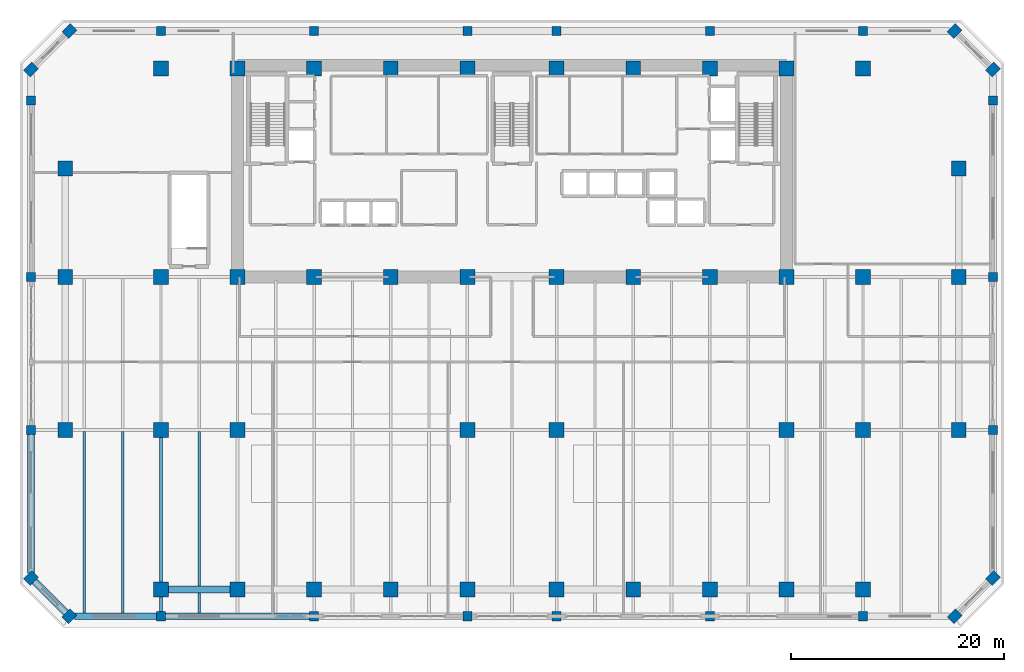
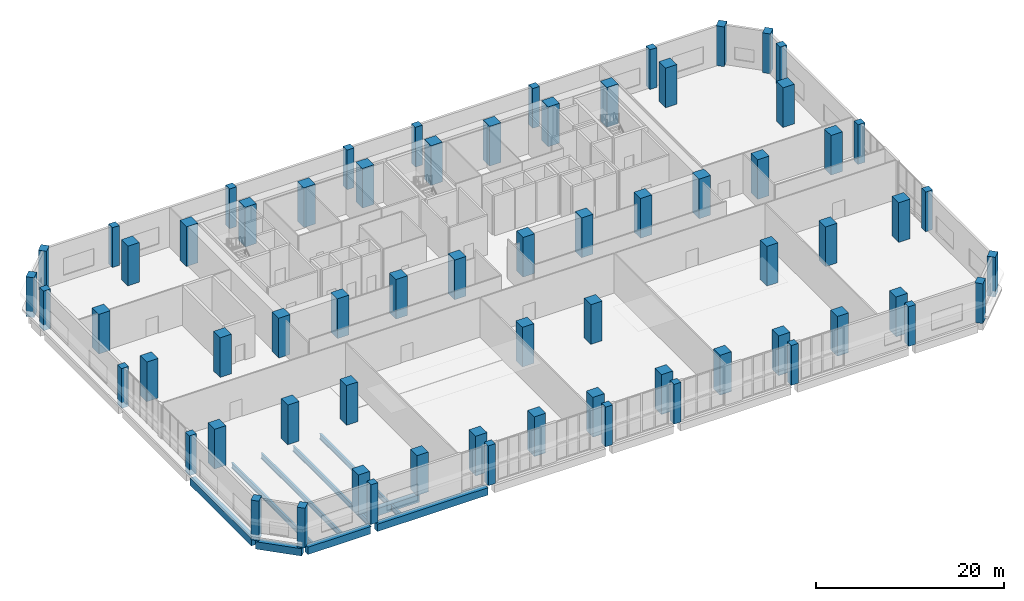
# One storey, part 1 of 25: 68 columns, 9 beams.
"""IFC4 building model written with IfcOpenShell, lengths in metres."""

from ifc_helpers import new_model, si_unit, direction, frame, origin, origin_2d, place, context, subcontext, project, spatial, rectangle, i_section, extrude, material, material_profile, profile_set, type_object, element, save


model = new_model("IFC4")

# Units and contexts
model_context = context("Model", 3, precision=1e-05, world=origin(), true_north=direction((0.0, 1.0)))
body_context = subcontext(model_context, "Body", "Model", "MODEL_VIEW")
ifc_project = project(units=[si_unit("LENGTHUNIT", "METRE"), si_unit("AREAUNIT", "SQUARE_METRE"), si_unit("VOLUMEUNIT", "CUBIC_METRE"), si_unit("PLANEANGLEUNIT", "RADIAN"), si_unit("MASSUNIT", "GRAM", prefix="KILO")], contexts=[model_context])

# Site, building, storey
site_placement = place(None, origin())
site = spatial("IfcSite", under=ifc_project, at=site_placement, CompositionType="ELEMENT")
building_placement = place(site_placement, origin())
building = spatial("IfcBuilding", under=site, at=building_placement, Name="Kaelvorn Grand Hotel", CompositionType="ELEMENT")
storey_placement = place(building_placement, frame((0.0, 0.0, 26.0)))
storey = spatial("IfcBuildingStorey", under=building, at=storey_placement, Name="L04", CompositionType="ELEMENT", Elevation=26.0)

# Columns
ifc_material_1 = material(Name="Concrete C80/95", Category="concrete")
ifc_material_profile_1 = material_profile(ifc_material_1, rectangle(XDim=1.10009765625, YDim=0.89990234375, at=origin_2d()), Name="RC PILASTER 1100x900")
ifc_profile_set_1 = profile_set([ifc_material_profile_1], Name="Concrete C80/95")
column_type_1 = type_object("IfcColumnType", Name="COL-PIL-1100x900-C80", PredefinedType="PILASTER", material=ifc_profile_set_1)
for number, where, z_axis, x_axis, name in (
    (1, (0.39990234375, -2.5, 0.0), (0.0, 0.0, 1.0), (0.707106781187, 0.707106781187, 0.0), "L04 Structural Column PDCH-01"),
    (2, (83.60009765625, -2.5, 0.0), (0.0, 0.0, 1.0), (0.707106781187, 0.707106781187, 0.0), "L04 Structural Column PDCH-02"),
    (3, (87.199951171875, 1.10009765625, 0.0), (0.0, 0.0, 1.0), (0.707106781187, 0.707106781187, 0.0), "L04 Structural Column PDCH-03"),
    (4, (87.199951171875, 48.89990234375, 0.0), (0.0, 0.0, 1.0), (0.707106781187, 0.707106781187, 0.0), "L04 Structural Column PDCH-04"),
    (5, (83.60009765625, 52.5, 0.0), (0.0, 0.0, 1.0), (0.707106781187, 0.707106781187, 0.0), "L04 Structural Column PDCH-05"),
    (6, (0.39990234375, 52.5, 0.0), (0.0, 0.0, 1.0), (0.707106781187, 0.707106781187, 0.0), "L04 Structural Column PDCH-06"),
    (7, (-3.199951171875, 48.89990234375, 0.0), (0.0, 0.0, 1.0), (0.707106781187, 0.707106781187, 0.0), "L04 Structural Column PDCH-07"),
    (8, (-3.199951171875, 1.10009765625, 0.0), (0.0, 0.0, 1.0), (0.707106781187, 0.707106781187, 0.0), "L04 Structural Column PDCH-08"),
):
    element("IfcColumn", number, at=place(storey_placement, frame(where, z_axis=z_axis, x_axis=x_axis)), inside=storey, type_object=column_type_1, Name=name, PredefinedType="PILASTER", context=body_context, shape_type="SweptSolid", body=[
        extrude(rectangle(XDim=1.10009765625, YDim=0.89990234375, at=origin_2d()), origin(), (0.0, 0.0, 1.0), 5.159912109375),
    ])
ifc_material_profile_2 = material_profile(ifc_material_1, rectangle(XDim=1.39990234375, YDim=1.39990234375, at=origin_2d()), Name="RC COL 1400x1400")
ifc_profile_set_2 = profile_set([ifc_material_profile_2], Name="Concrete C80/95")
column_type_2 = type_object("IfcColumnType", Name="COL-RC-1400-C80", PredefinedType="COLUMN", material=ifc_profile_set_2)
for number, where, z_axis, x_axis, name in (
    (9, (9.0, 0.0, 0.0), (0.0, 0.0, 1.0), (1.0, 0.0, 0.0), "L04 Structural Column TS-01"),
    (10, (9.0, 29.39990234375, 0.0), (0.0, 0.0, 1.0), (1.0, 0.0, 0.0), "L04 Structural Column TC-01"),
    (11, (9.0, 49.0, 0.0), (0.0, 0.0, 1.0), (1.0, 0.0, 0.0), "L04 Structural Column TN-01"),
    (12, (16.199951171875, 0.0, 0.0), (0.0, 0.0, 1.0), (1.0, 0.0, 0.0), "L04 Structural Column TS-02"),
    (13, (16.199951171875, 29.39990234375, 0.0), (0.0, 0.0, 1.0), (1.0, 0.0, 0.0), "L04 Structural Column TC-02"),
    (14, (16.199951171875, 49.0, 0.0), (0.0, 0.0, 1.0), (1.0, 0.0, 0.0), "L04 Structural Column TN-02"),
    (15, (23.39990234375, 0.0, 0.0), (0.0, 0.0, 1.0), (1.0, 0.0, 0.0), "L04 Structural Column TS-03"),
    (16, (23.39990234375, 29.39990234375, 0.0), (0.0, 0.0, 1.0), (1.0, 0.0, 0.0), "L04 Structural Column TC-03"),
    (17, (23.39990234375, 49.0, 0.0), (0.0, 0.0, 1.0), (1.0, 0.0, 0.0), "L04 Structural Column TN-03"),
    (18, (30.60009765625, 0.0, 0.0), (0.0, 0.0, 1.0), (1.0, 0.0, 0.0), "L04 Structural Column TS-04"),
    (19, (30.60009765625, 29.39990234375, 0.0), (0.0, 0.0, 1.0), (1.0, 0.0, 0.0), "L04 Structural Column TC-04"),
    (20, (30.60009765625, 49.0, 0.0), (0.0, 0.0, 1.0), (1.0, 0.0, 0.0), "L04 Structural Column TN-04"),
    (21, (37.800048828125, 0.0, 0.0), (0.0, 0.0, 1.0), (1.0, 0.0, 0.0), "L04 Structural Column TS-05"),
    (22, (37.800048828125, 29.39990234375, 0.0), (0.0, 0.0, 1.0), (1.0, 0.0, 0.0), "L04 Structural Column TC-05"),
    (23, (37.800048828125, 49.0, 0.0), (0.0, 0.0, 1.0), (1.0, 0.0, 0.0), "L04 Structural Column TN-05"),
    (24, (46.199951171875, 0.0, 0.0), (0.0, 0.0, 1.0), (1.0, 0.0, 0.0), "L04 Structural Column TS-06"),
    (25, (46.199951171875, 29.39990234375, 0.0), (0.0, 0.0, 1.0), (1.0, 0.0, 0.0), "L04 Structural Column TC-06"),
    (26, (46.199951171875, 49.0, 0.0), (0.0, 0.0, 1.0), (1.0, 0.0, 0.0), "L04 Structural Column TN-06"),
    (27, (53.39990234375, 0.0, 0.0), (0.0, 0.0, 1.0), (1.0, 0.0, 0.0), "L04 Structural Column TS-07"),
    (28, (53.39990234375, 29.39990234375, 0.0), (0.0, 0.0, 1.0), (1.0, 0.0, 0.0), "L04 Structural Column TC-07"),
    (29, (53.39990234375, 49.0, 0.0), (0.0, 0.0, 1.0), (1.0, 0.0, 0.0), "L04 Structural Column TN-07"),
    (30, (60.60009765625, 0.0, 0.0), (0.0, 0.0, 1.0), (1.0, 0.0, 0.0), "L04 Structural Column TS-08"),
    (31, (60.60009765625, 29.39990234375, 0.0), (0.0, 0.0, 1.0), (1.0, 0.0, 0.0), "L04 Structural Column TC-08"),
    (32, (60.60009765625, 49.0, 0.0), (0.0, 0.0, 1.0), (1.0, 0.0, 0.0), "L04 Structural Column TN-08"),
    (33, (67.800048828125, 0.0, 0.0), (0.0, 0.0, 1.0), (1.0, 0.0, 0.0), "L04 Structural Column TS-09"),
    (34, (67.800048828125, 29.39990234375, 0.0), (0.0, 0.0, 1.0), (1.0, 0.0, 0.0), "L04 Structural Column TC-09"),
    (35, (67.800048828125, 49.0, 0.0), (0.0, 0.0, 1.0), (1.0, 0.0, 0.0), "L04 Structural Column TN-09"),
    (36, (75.0, 0.0, 0.0), (0.0, 0.0, 1.0), (1.0, 0.0, 0.0), "L04 Structural Column TS-10"),
    (37, (75.0, 29.39990234375, 0.0), (0.0, 0.0, 1.0), (1.0, 0.0, 0.0), "L04 Structural Column TC-10"),
    (38, (75.0, 49.0, 0.0), (0.0, 0.0, 1.0), (1.0, 0.0, 0.0), "L04 Structural Column TN-10"),
    (39, (9.0, 15.0, 0.0), (0.0, 0.0, 1.0), (1.0, 0.0, 0.0), "L04 Structural Column TM-01"),
    (40, (37.800048828125, 15.0, 0.0), (0.0, 0.0, 1.0), (1.0, 0.0, 0.0), "L04 Structural Column TM-02"),
    (41, (46.199951171875, 15.0, 0.0), (0.0, 0.0, 1.0), (1.0, 0.0, 0.0), "L04 Structural Column TM-03"),
    (42, (75.0, 15.0, 0.0), (0.0, 0.0, 1.0), (1.0, 0.0, 0.0), "L04 Structural Column TM-04"),
    (43, (16.199951171875, 15.0, 0.0), (0.0, 0.0, 1.0), (1.0, 0.0, 0.0), "L04 Structural Column TMR-01"),
    (44, (67.800048828125, 15.0, 0.0), (0.0, 0.0, 1.0), (1.0, 0.0, 0.0), "L04 Structural Column TMR-02"),
    (45, (0.0, 15.0, 0.0), (0.0, 0.0, 1.0), (1.0, 0.0, 0.0), "L04 Structural Column TW-01"),
    (46, (84.0, 15.0, 0.0), (0.0, 0.0, 1.0), (1.0, 0.0, 0.0), "L04 Structural Column TE-01"),
    (47, (0.0, 29.39990234375, 0.0), (0.0, 0.0, 1.0), (1.0, 0.0, 0.0), "L04 Structural Column TW-02"),
    (48, (84.0, 29.39990234375, 0.0), (0.0, 0.0, 1.0), (1.0, 0.0, 0.0), "L04 Structural Column TE-02"),
    (49, (0.0, 39.60009765625, 0.0), (0.0, 0.0, 1.0), (1.0, 0.0, 0.0), "L04 Structural Column TW-03"),
    (50, (84.0, 39.60009765625, 0.0), (0.0, 0.0, 1.0), (1.0, 0.0, 0.0), "L04 Structural Column TE-03"),
):
    element("IfcColumn", number, at=place(storey_placement, frame(where, z_axis=z_axis, x_axis=x_axis)), inside=storey, type_object=column_type_2, Name=name, PredefinedType="COLUMN", context=body_context, shape_type="SweptSolid", body=[
        extrude(rectangle(XDim=1.39990234375, YDim=1.39990234375, at=origin_2d()), origin(), (0.0, 0.0, 1.0), 5.159912109375),
    ])
ifc_material_2 = material(Name="Concrete C50/60", Category="concrete")
ifc_material_profile_3 = material_profile(ifc_material_2, rectangle(XDim=0.85009765625, YDim=0.85009765625, at=origin_2d()), Name="RC COL 850x850")
ifc_profile_set_3 = profile_set([ifc_material_profile_3], Name="Concrete C50/60")
column_type_3 = type_object("IfcColumnType", Name="COL-RC-850-C50", PredefinedType="COLUMN", material=ifc_profile_set_3)
for number, where, z_axis, x_axis, name in (
    (51, (9.0, -2.5, 0.0), (0.0, 0.0, 1.0), (1.0, 0.0, 0.0), "L04 Structural Column PDS-01"),
    (52, (9.0, 52.5, 0.0), (0.0, 0.0, 1.0), (1.0, 0.0, 0.0), "L04 Structural Column PDN-01"),
    (53, (23.39990234375, -2.5, 0.0), (0.0, 0.0, 1.0), (1.0, 0.0, 0.0), "L04 Structural Column PDS-02"),
    (54, (23.39990234375, 52.5, 0.0), (0.0, 0.0, 1.0), (1.0, 0.0, 0.0), "L04 Structural Column PDN-02"),
    (55, (37.800048828125, -2.5, 0.0), (0.0, 0.0, 1.0), (1.0, 0.0, 0.0), "L04 Structural Column PDS-03"),
    (56, (37.800048828125, 52.5, 0.0), (0.0, 0.0, 1.0), (1.0, 0.0, 0.0), "L04 Structural Column PDN-03"),
    (57, (46.199951171875, -2.5, 0.0), (0.0, 0.0, 1.0), (1.0, 0.0, 0.0), "L04 Structural Column PDS-04"),
    (58, (46.199951171875, 52.5, 0.0), (0.0, 0.0, 1.0), (1.0, 0.0, 0.0), "L04 Structural Column PDN-04"),
    (59, (60.60009765625, -2.5, 0.0), (0.0, 0.0, 1.0), (1.0, 0.0, 0.0), "L04 Structural Column PDS-05"),
    (60, (60.60009765625, 52.5, 0.0), (0.0, 0.0, 1.0), (1.0, 0.0, 0.0), "L04 Structural Column PDN-05"),
    (61, (75.0, -2.5, 0.0), (0.0, 0.0, 1.0), (1.0, 0.0, 0.0), "L04 Structural Column PDS-06"),
    (62, (75.0, 52.5, 0.0), (0.0, 0.0, 1.0), (1.0, 0.0, 0.0), "L04 Structural Column PDN-06"),
    (63, (-3.199951171875, 15.0, 0.0), (0.0, 0.0, 1.0), (1.0, 0.0, 0.0), "L04 Structural Column PDW-01"),
    (64, (87.199951171875, 15.0, 0.0), (0.0, 0.0, 1.0), (1.0, 0.0, 0.0), "L04 Structural Column PDE-01"),
    (65, (-3.199951171875, 29.39990234375, 0.0), (0.0, 0.0, 1.0), (1.0, 0.0, 0.0), "L04 Structural Column PDW-02"),
    (66, (87.199951171875, 29.39990234375, 0.0), (0.0, 0.0, 1.0), (1.0, 0.0, 0.0), "L04 Structural Column PDE-02"),
    (67, (-3.199951171875, 46.0, 0.0), (0.0, 0.0, 1.0), (1.0, 0.0, 0.0), "L04 Structural Column PDW-03"),
    (68, (87.199951171875, 46.0, 0.0), (0.0, 0.0, 1.0), (1.0, 0.0, 0.0), "L04 Structural Column PDE-03"),
):
    element("IfcColumn", number, at=place(storey_placement, frame(where, z_axis=z_axis, x_axis=x_axis)), inside=storey, type_object=column_type_3, Name=name, PredefinedType="COLUMN", context=body_context, shape_type="SweptSolid", body=[
        extrude(rectangle(XDim=0.85009765625, YDim=0.85009765625, at=origin_2d()), origin(), (0.0, 0.0, 1.0), 5.159912109375),
    ])

# Beams
ifc_material_3 = material(Name="Steel S355", Category="steel")
ifc_material_profile_4 = material_profile(ifc_material_3, i_section(OverallWidth=0.25439453125, OverallDepth=0.6875, WebThickness=0.01318359375, FlangeThickness=0.02099609375, FilletRadius=0.01513671875, at=origin_2d()), Name="UB 686x254x152")
ifc_profile_set_4 = profile_set([ifc_material_profile_4], Name="Steel S355")
beam_type_1 = type_object("IfcBeamType", Name="BM-J-UB686-S355", PredefinedType="JOIST", material=ifc_profile_set_4)
for number, where, z_axis, x_axis, name in (
    (69, (1.800048828125, -2.18994140625, -0.663818359375), (0.0, 1.0, 0.0), (-1.0, 0.0, 0.0), "L04 Composite Floor Joist JS-01"),
    (70, (5.39990234375, -2.18994140625, -0.663818359375), (0.0, 1.0, 0.0), (-1.0, 0.0, 0.0), "L04 Composite Floor Joist JS-02"),
):
    element("IfcBeam", number, at=place(storey_placement, frame(where, z_axis=z_axis, x_axis=x_axis)), inside=storey, type_object=beam_type_1, Name=name, PredefinedType="JOIST", context=body_context, shape_type="SweptSolid", body=[
        extrude(i_section(OverallWidth=0.25439453125, OverallDepth=0.6875, WebThickness=0.01318359375, FlangeThickness=0.02099609375, FilletRadius=0.01513671875, at=origin_2d()), origin(), (0.0, 0.0, 1.0), 17.05224609375),
    ])
beam_1_placement = place(storey_placement, frame((9.0, -2.090087890625, -0.663818359375), z_axis=(0.0, 1.0, 0.0), x_axis=(-1.0, 0.0, 0.0)))
element("IfcBeam", 71, at=beam_1_placement, inside=storey, type_object=beam_type_1, Name="L04 Composite Floor Joist JS-03", PredefinedType="JOIST", context=body_context, shape_type="SweptSolid", body=[
    extrude(i_section(OverallWidth=0.25439453125, OverallDepth=0.6875, WebThickness=0.01318359375, FlangeThickness=0.02099609375, FilletRadius=0.01513671875, at=origin_2d()), origin(), (0.0, 0.0, 1.0), 16.405029296875),
])
beam_2_placement = place(storey_placement, frame((12.60009765625, -2.18994140625, -0.663818359375), z_axis=(0.0, 1.0, 0.0), x_axis=(-1.0, 0.0, 0.0)))
element("IfcBeam", 72, at=beam_2_placement, inside=storey, type_object=beam_type_1, Name="L04 Composite Floor Joist JS-04", PredefinedType="JOIST", context=body_context, shape_type="SweptSolid", body=[
    extrude(i_section(OverallWidth=0.25439453125, OverallDepth=0.6875, WebThickness=0.01318359375, FlangeThickness=0.02099609375, FilletRadius=0.01513671875, at=origin_2d()), origin(), (0.0, 0.0, 1.0), 17.05224609375),
])
ifc_material_4 = material(Name="Concrete C60/75", Category="concrete")
ifc_material_profile_5 = material_profile(ifc_material_4, rectangle(XDim=0.64990234375, YDim=0.949951171875, at=origin_2d()), Name="RC SPANDREL 650x950")
ifc_profile_set_5 = profile_set([ifc_material_profile_5], Name="Concrete C60/75")
beam_type_2 = type_object("IfcBeamType", Name="BM-SP-650x950-C60", PredefinedType="SPANDREL", material=ifc_profile_set_5)
beam_3_placement = place(storey_placement, frame((0.885009765625, -2.5, -0.794921875), z_axis=(1.0, 0.0, 0.0), x_axis=(0.0, 1.0, 0.0)))
element("IfcBeam", 73, at=beam_3_placement, inside=storey, type_object=beam_type_2, Name="L04 South Perimeter Spandrel 01", PredefinedType="SPANDREL", context=body_context, shape_type="SweptSolid", body=[
    extrude(rectangle(XDim=0.64990234375, YDim=0.949951171875, at=origin_2d()), origin(), (0.0, 0.0, 1.0), 7.705078125),
])
beam_4_placement = place(storey_placement, frame((9.409912109375, -2.5, -0.794921875), z_axis=(1.0, 0.0, 0.0), x_axis=(0.0, 1.0, 0.0)))
element("IfcBeam", 74, at=beam_4_placement, inside=storey, type_object=beam_type_2, Name="L04 South Perimeter Spandrel 02", PredefinedType="SPANDREL", context=body_context, shape_type="SweptSolid", body=[
    extrude(rectangle(XDim=0.64990234375, YDim=0.949951171875, at=origin_2d()), origin(), (0.0, 0.0, 1.0), 13.580078125),
])
beam_5_placement = place(storey_placement, frame((-3.199951171875, 1.5849609375, -0.794921875), z_axis=(0.0, 1.0, 0.0), x_axis=(-1.0, 0.0, 0.0)))
element("IfcBeam", 75, at=beam_5_placement, inside=storey, type_object=beam_type_2, Name="L04 West Perimeter Spandrel 01", PredefinedType="SPANDREL", context=body_context, shape_type="SweptSolid", body=[
    extrude(rectangle(XDim=0.64990234375, YDim=0.949951171875, at=origin_2d()), origin(), (0.0, 0.0, 1.0), 13.005126953125),
])
beam_6_placement = place(storey_placement, frame((-3.199951171875, 1.10009765625, -0.794921875), z_axis=(0.707082803744, -0.707130757816, 0.0), x_axis=(0.707130757816, 0.707082803744, 0.0)))
element("IfcBeam", 76, at=beam_6_placement, inside=storey, type_object=beam_type_2, Name="L04 Chamfer Spandrel Beam 4", PredefinedType="SPANDREL", context=body_context, shape_type="SweptSolid", body=[
    extrude(rectangle(XDim=0.64990234375, YDim=0.949951171875, at=origin_2d()), origin(), (0.0, 0.0, 1.0), 5.091064453125),
])
beam_7_placement = place(storey_placement, frame((9.195068359375, 0.0, -0.794921875), z_axis=(1.0, 0.0, 0.0), x_axis=(0.0, 1.0, 0.0)))
element("IfcBeam", 77, at=beam_7_placement, inside=storey, type_object=beam_type_2, Name="L04 Tower Line South Girder 01", PredefinedType="SPANDREL", context=body_context, shape_type="SweptSolid", body=[
    extrude(rectangle(XDim=0.64990234375, YDim=0.949951171875, at=origin_2d()), origin(), (0.0, 0.0, 1.0), 6.809814453125),
])

save(model, "model.ifc")
